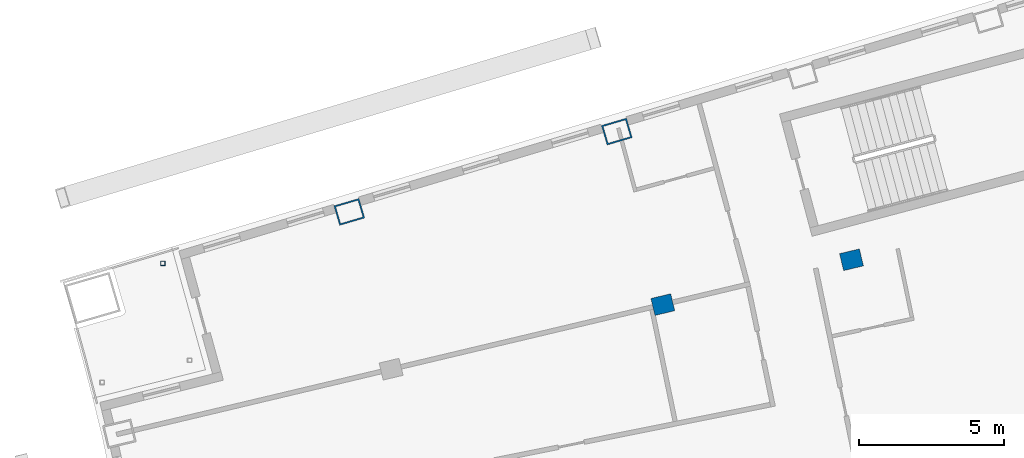
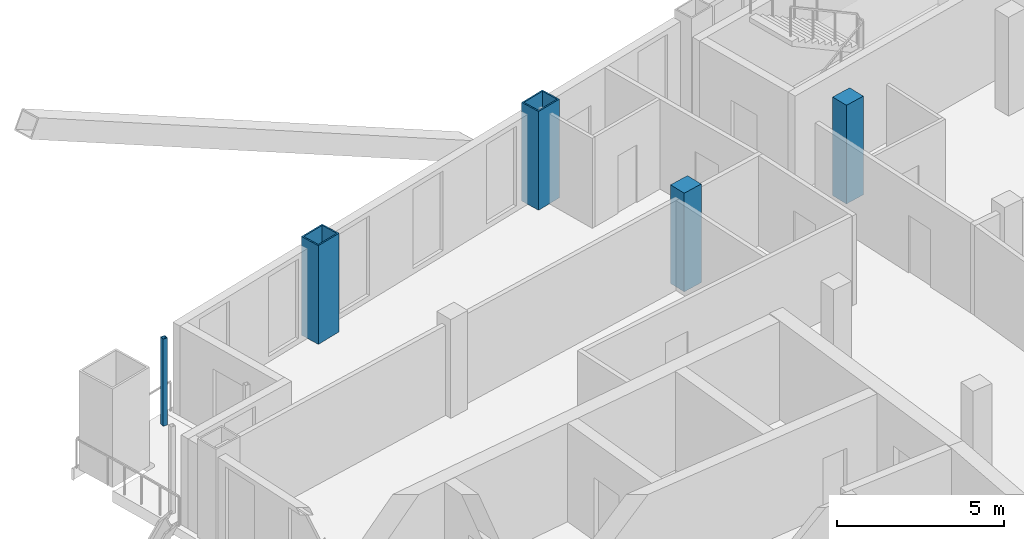
# One storey, part 5 of 17: 5 columns.
"""IFC4 building model written with IfcOpenShell, lengths in metres."""

from ifc_helpers import new_model, si_unit, direction, frame, origin, origin_2d, place, context, subcontext, project, spatial, rectangle, hollow_rectangle, extrude, material, material_profile, profile_set, type_object, element, save


model = new_model("IFC4")

# Units and contexts
model_context = context("Model", 3, precision=1e-05, world=origin(), true_north=direction((0.0, 1.0)))
body_context = subcontext(model_context, "Body", "Model", "MODEL_VIEW")
ifc_project = project(units=[si_unit("LENGTHUNIT", "METRE"), si_unit("AREAUNIT", "SQUARE_METRE"), si_unit("VOLUMEUNIT", "CUBIC_METRE"), si_unit("PLANEANGLEUNIT", "RADIAN"), si_unit("MASSUNIT", "GRAM", prefix="KILO")], contexts=[model_context])

# Site, building, storey
site_placement = place(None, origin())
site = spatial("IfcSite", under=ifc_project, at=site_placement, CompositionType="ELEMENT")
building_placement = place(site_placement, origin())
building = spatial("IfcBuilding", under=site, at=building_placement, Name="Alderwake Tower", CompositionType="ELEMENT")
storey_placement = place(building_placement, frame((0.0, 0.0, 278.0)))
storey = spatial("IfcBuildingStorey", under=building, at=storey_placement, Name="L69", CompositionType="ELEMENT", Elevation=278.0)

# Columns
ifc_material_1 = material(Name="Steel ASTM A572 Grade 50 concrete filled C70/85", Category="concrete")
ifc_material_profile_1 = material_profile(ifc_material_1, hollow_rectangle(XDim=0.699951171875, YDim=0.89990234375, WallThickness=0.050048828125, at=origin_2d()), Name="BOX 900X700X50")
ifc_profile_set_1 = profile_set([ifc_material_profile_1], Name="Steel ASTM A572 Grade 50 concrete filled C70/85")
column_type_1 = type_object("IfcColumnType", Name="End column Z5", PredefinedType="COLUMN", material=ifc_profile_set_1)
for number, where, z_axis, x_axis, name in (
    (1, (21.885498046875, 90.96240234375, 0.0), (0.0, 0.0, 1.0), (-0.282132160283, 0.95937554906, 0.0), "Column R12-C1"),
    (2, (31.080322265625, 93.72314453125, 0.0), (0.0, 0.0, 1.0), (-0.282582549822, 0.959242984095, 0.0), "Column R12-C2"),
):
    element("IfcColumn", number, at=place(storey_placement, frame(where, z_axis=z_axis, x_axis=x_axis)), inside=storey, type_object=column_type_1, Name=name, PredefinedType="COLUMN", context=body_context, shape_type="SweptSolid", body=[
        extrude(hollow_rectangle(XDim=0.699951171875, YDim=0.89990234375, WallThickness=0.050048828125, at=origin_2d()), origin(), (0.0, 0.0, 1.0), 3.60009765625),
    ])
ifc_material_2 = material(Name="Concrete C70/85", Category="concrete")
ifc_material_profile_2 = material_profile(ifc_material_2, rectangle(XDim=0.60009765625, YDim=0.699951171875, at=origin_2d()), Name="RC 700X600")
ifc_profile_set_2 = profile_set([ifc_material_profile_2], Name="Concrete C70/85")
column_type_2 = type_object("IfcColumnType", Name="Interior column Z5", PredefinedType="COLUMN", material=ifc_profile_set_2)
for number, where, z_axis, x_axis, name in (
    (3, (32.661865234375, 87.775390625, 0.0), (0.0, 0.0, 1.0), (-0.231221547198, 0.972901123502, 0.0), "Column R11-C2"),
    (4, (39.14794921875, 89.31689453125, 0.0), (0.0, 0.0, 1.0), (-0.231221547198, 0.972901123502, 0.0), "Column R11-C3"),
):
    element("IfcColumn", number, at=place(storey_placement, frame(where, z_axis=z_axis, x_axis=x_axis)), inside=storey, type_object=column_type_2, Name=name, PredefinedType="COLUMN", context=body_context, shape_type="SweptSolid", body=[
        extrude(rectangle(XDim=0.60009765625, YDim=0.699951171875, at=origin_2d()), origin(), (0.0, 0.0, 1.0), 3.60009765625),
    ])
ifc_material_3 = material(Name="Steel ASTM A500 Grade C", Category="steel")
ifc_material_profile_3 = material_profile(ifc_material_3, hollow_rectangle(XDim=0.15234375, YDim=0.15234375, WallThickness=0.0087890625, at=origin_2d()), Name="HSS6X6X3/8")
ifc_profile_set_3 = profile_set([ifc_material_profile_3], Name="Steel ASTM A500 Grade C")
column_type_3 = type_object("IfcColumnType", Name="Light post HSS6X6X3/8", PredefinedType="COLUMN", material=ifc_profile_set_3)
column_placement = place(storey_placement, frame((15.47412109375, 89.194091796875, 0.0), z_axis=(0.0, 0.0, 1.0), x_axis=(1.0, 0.0, 0.0)))
element("IfcColumn", 5, at=column_placement, inside=storey, type_object=column_type_3, Name="Terrace post RN2", PredefinedType="COLUMN", context=body_context, shape_type="SweptSolid", body=[
    extrude(hollow_rectangle(XDim=0.15234375, YDim=0.15234375, WallThickness=0.0087890625, at=origin_2d()), origin(), (0.0, 0.0, 1.0), 3.179931640625),
])

save(model, "model.ifc")
